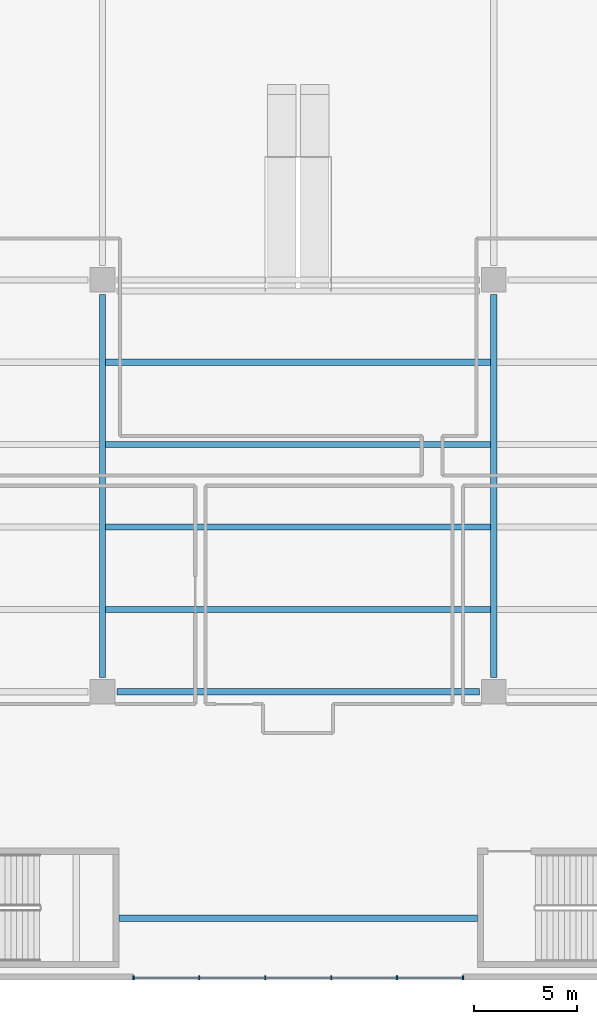
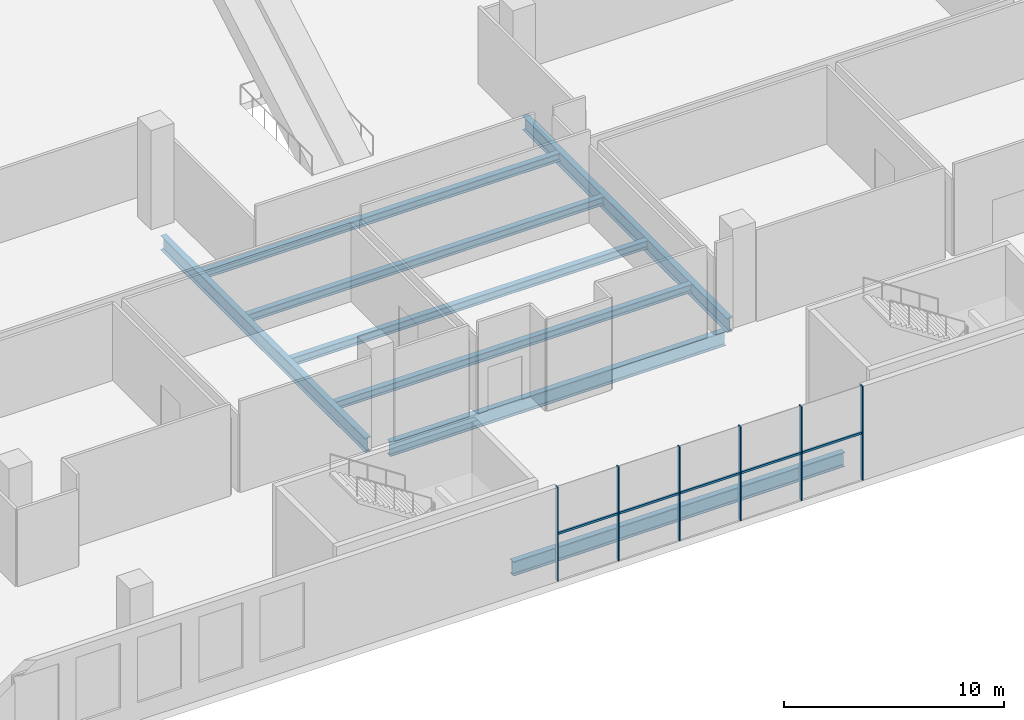
# One storey, part 2 of 26: 8 beams, 7 members, 1 element without a shape of its own.
"""IFC4 building model written with IfcOpenShell, lengths in metres."""

from ifc_helpers import new_model, si_unit, direction, frame, origin, origin_2d, place, context, subcontext, project, spatial, rectangle, i_section, extrude, material, material_profile, profile_set, type_object, element, aggregate, save


model = new_model("IFC4")

# Units and contexts
model_context = context("Model", 3, precision=1e-05, world=origin(), true_north=direction((0.0, 1.0)))
body_context = subcontext(model_context, "Body", "Model", "MODEL_VIEW")
ifc_project = project(units=[si_unit("LENGTHUNIT", "METRE"), si_unit("AREAUNIT", "SQUARE_METRE"), si_unit("VOLUMEUNIT", "CUBIC_METRE"), si_unit("PLANEANGLEUNIT", "RADIAN"), si_unit("MASSUNIT", "GRAM", prefix="KILO")], contexts=[model_context])

# Site, building, storey
site_placement = place(None, origin())
site = spatial("IfcSite", under=ifc_project, at=site_placement, CompositionType="ELEMENT")
building_placement = place(site_placement, origin())
building = spatial("IfcBuilding", under=site, at=building_placement, Name="Tel Ilan Convention Tower", CompositionType="ELEMENT")
storey_placement = place(building_placement, frame((0.0, 0.0, 32.0)))
storey = spatial("IfcBuildingStorey", under=building, at=storey_placement, Name="L04", CompositionType="ELEMENT", Elevation=32.0)

# Curtain wall, members
ifc_material_1 = material(Name="Aluminium, bronze anodised", Category="aluminium")
curtain_wall_type = type_object("IfcCurtainWallType", Name="CW3 FOYER CURTAIN WALL, CLEAR GLASS", PredefinedType="NOTDEFINED", material=ifc_material_1)
curtain_wall_placement = place(storey_placement, origin())
curtain_wall = element("IfcCurtainWall", 1, at=curtain_wall_placement, inside=storey, type_object=curtain_wall_type, Name="Curtain wall CW3-07.F01", PredefinedType="NOTDEFINED")
ifc_material_2 = material(Name="Aluminium, bronze anodised", Category="aluminium")
ifc_material_profile_1 = material_profile(ifc_material_2, rectangle(XDim=0.06005859375, YDim=0.199951171875, at=origin_2d()), Name="CW MULLION 60x200")
ifc_profile_set_1 = profile_set([ifc_material_profile_1], Name="Aluminium, bronze anodised")
member_type_1 = type_object("IfcMemberType", Name="CW MULLION 60x200", PredefinedType="MULLION", material=ifc_profile_set_1)
member_1_placement = place(storey_placement, frame((-8.0, -81.89990234375, 0.0), z_axis=(0.0, 0.0, 1.0), x_axis=(1.0, 0.0, 0.0)))
member_1 = element("IfcMember", 2, at=member_1_placement, type_object=member_type_1, Name="Mullion", PredefinedType="MULLION", context=body_context, shape_type="SweptSolid", body=[
    extrude(rectangle(XDim=0.06005859375, YDim=0.199951171875, at=origin_2d()), origin(), (0.0, 0.0, 1.0), 5.219970703125),
])
member_2_placement = place(storey_placement, frame((-4.800048828125, -81.89990234375, 0.0), z_axis=(0.0, 0.0, 1.0), x_axis=(1.0, 0.0, 0.0)))
member_2 = element("IfcMember", 3, at=member_2_placement, type_object=member_type_1, Name="Mullion", PredefinedType="MULLION", context=body_context, shape_type="SweptSolid", body=[
    extrude(rectangle(XDim=0.06005859375, YDim=0.199951171875, at=origin_2d()), origin(), (0.0, 0.0, 1.0), 5.219970703125),
])
member_3_placement = place(storey_placement, frame((-1.60009765625, -81.89990234375, 0.0), z_axis=(0.0, 0.0, 1.0), x_axis=(1.0, 0.0, 0.0)))
member_3 = element("IfcMember", 4, at=member_3_placement, type_object=member_type_1, Name="Mullion", PredefinedType="MULLION", context=body_context, shape_type="SweptSolid", body=[
    extrude(rectangle(XDim=0.06005859375, YDim=0.199951171875, at=origin_2d()), origin(), (0.0, 0.0, 1.0), 5.219970703125),
])
member_4_placement = place(storey_placement, frame((1.60009765625, -81.89990234375, 0.0), z_axis=(0.0, 0.0, 1.0), x_axis=(1.0, 0.0, 0.0)))
member_4 = element("IfcMember", 5, at=member_4_placement, type_object=member_type_1, Name="Mullion", PredefinedType="MULLION", context=body_context, shape_type="SweptSolid", body=[
    extrude(rectangle(XDim=0.06005859375, YDim=0.199951171875, at=origin_2d()), origin(), (0.0, 0.0, 1.0), 5.219970703125),
])
member_5_placement = place(storey_placement, frame((4.800048828125, -81.89990234375, 0.0), z_axis=(0.0, 0.0, 1.0), x_axis=(1.0, 0.0, 0.0)))
member_5 = element("IfcMember", 6, at=member_5_placement, type_object=member_type_1, Name="Mullion", PredefinedType="MULLION", context=body_context, shape_type="SweptSolid", body=[
    extrude(rectangle(XDim=0.06005859375, YDim=0.199951171875, at=origin_2d()), origin(), (0.0, 0.0, 1.0), 5.219970703125),
])
member_6_placement = place(storey_placement, frame((8.0, -81.89990234375, 0.0), z_axis=(0.0, 0.0, 1.0), x_axis=(1.0, 0.0, 0.0)))
member_6 = element("IfcMember", 7, at=member_6_placement, type_object=member_type_1, Name="Mullion", PredefinedType="MULLION", context=body_context, shape_type="SweptSolid", body=[
    extrude(rectangle(XDim=0.06005859375, YDim=0.199951171875, at=origin_2d()), origin(), (0.0, 0.0, 1.0), 5.219970703125),
])
ifc_material_3 = material(Name="Aluminium, bronze anodised", Category="aluminium")
ifc_material_profile_2 = material_profile(ifc_material_3, rectangle(XDim=0.10009765625, YDim=0.1201171875, at=origin_2d()), Name="CW TRANSOM 100x120")
ifc_profile_set_2 = profile_set([ifc_material_profile_2], Name="Aluminium, bronze anodised")
member_type_2 = type_object("IfcMemberType", Name="CW TRANSOM 100x120", PredefinedType="USERDEFINED", material=ifc_profile_set_2)
member_7_placement = place(storey_placement, frame((-7.969970703125, -81.89990234375, 2.610107421875), z_axis=(1.0, 0.0, 0.0), x_axis=(0.0, 1.0, 0.0)))
member_7 = element("IfcMember", 8, at=member_7_placement, type_object=member_type_2, Name="Transom", ObjectType="TRANSOM", PredefinedType="USERDEFINED", context=body_context, shape_type="SweptSolid", body=[
    extrude(rectangle(XDim=0.10009765625, YDim=0.1201171875, at=origin_2d()), origin(), (0.0, 0.0, 1.0), 15.93994140625),
])
aggregate(curtain_wall, [member_1, member_2, member_3, member_4, member_5, member_6, member_7])

# Beams
ifc_material_4 = material(Name="Steel S355", Category="steel")
ifc_material_profile_3 = material_profile(ifc_material_4, i_section(OverallWidth=0.300048828125, OverallDepth=0.800048828125, WebThickness=0.017578125, FlangeThickness=0.032958984375, FilletRadius=0.030029296875, at=origin_2d()), Name="HEB 800")
ifc_profile_set_3 = profile_set([ifc_material_profile_3], Name="Steel S355")
beam_type_1 = type_object("IfcBeamType", Name="Girder HEB 800 Steel S355", PredefinedType="BEAM", material=ifc_profile_set_3)
beam_1_placement = place(storey_placement, frame((-8.800048828125, -68.0, -0.800048828125), z_axis=(1.0, 0.0, 0.0), x_axis=(0.0, 1.0, 0.0)))
element("IfcBeam", 9, at=beam_1_placement, inside=storey, type_object=beam_type_1, Name="L04 beam GX23-4", PredefinedType="BEAM", context=body_context, shape_type="SweptSolid", body=[
    extrude(i_section(OverallWidth=0.300048828125, OverallDepth=0.800048828125, WebThickness=0.017578125, FlangeThickness=0.032958984375, FilletRadius=0.030029296875, at=origin_2d()), origin(), (0.0, 0.0, 1.0), 17.60009765625),
])
for number, where, z_axis, x_axis, name in (
    (10, (-9.5, -67.300048828125, -0.800048828125), (0.0, 1.0, 0.0), (-1.0, 0.0, 0.0), "L04 beam GY32-3"),
    (11, (9.5, -67.300048828125, -0.800048828125), (0.0, 1.0, 0.0), (-1.0, 0.0, 0.0), "L04 beam GY42-3"),
):
    element("IfcBeam", number, at=place(storey_placement, frame(where, z_axis=z_axis, x_axis=x_axis)), inside=storey, type_object=beam_type_1, Name=name, PredefinedType="BEAM", context=body_context, shape_type="SweptSolid", body=[
        extrude(i_section(OverallWidth=0.300048828125, OverallDepth=0.800048828125, WebThickness=0.017578125, FlangeThickness=0.032958984375, FilletRadius=0.030029296875, at=origin_2d()), origin(), (0.0, 0.0, 1.0), 18.60009765625),
    ])
beam_2_placement = place(storey_placement, frame((-8.699951171875, -79.0, -0.800048828125), z_axis=(1.0, 0.0, 0.0), x_axis=(0.0, 1.0, 0.0)))
element("IfcBeam", 12, at=beam_2_placement, inside=storey, type_object=beam_type_1, Name="L04 beam GS21", PredefinedType="BEAM", context=body_context, shape_type="SweptSolid", body=[
    extrude(i_section(OverallWidth=0.300048828125, OverallDepth=0.800048828125, WebThickness=0.017578125, FlangeThickness=0.032958984375, FilletRadius=0.030029296875, at=origin_2d()), origin(), (0.0, 0.0, 1.0), 17.39990234375),
])
ifc_material_5 = material(Name="Steel S355", Category="steel")
ifc_material_profile_4 = material_profile(ifc_material_5, i_section(OverallWidth=0.300048828125, OverallDepth=0.449951171875, WebThickness=0.013916015625, FlangeThickness=0.02587890625, FilletRadius=0.027099609375, at=origin_2d()), Name="HEB 450")
ifc_profile_set_4 = profile_set([ifc_material_profile_4], Name="Steel S355")
beam_type_2 = type_object("IfcBeamType", Name="Joist HEB 450 Steel S355", PredefinedType="JOIST", material=ifc_profile_set_4)
for number, where, z_axis, x_axis, name in (
    (13, (-9.360107421875, -64.0, -0.625), (1.0, 0.0, 0.0), (0.0, 1.0, 0.0), "L04 beam J3--68-1"),
    (14, (-9.360107421875, -60.0, -0.625), (1.0, 0.0, 0.0), (0.0, 1.0, 0.0), "L04 beam J3--68-2"),
    (15, (-9.360107421875, -56.0, -0.625), (1.0, 0.0, 0.0), (0.0, 1.0, 0.0), "L04 beam J3--68-3"),
    (16, (-9.360107421875, -52.0, -0.625), (1.0, 0.0, 0.0), (0.0, 1.0, 0.0), "L04 beam J3--68-4"),
):
    element("IfcBeam", number, at=place(storey_placement, frame(where, z_axis=z_axis, x_axis=x_axis)), inside=storey, type_object=beam_type_2, Name=name, PredefinedType="JOIST", context=body_context, shape_type="SweptSolid", body=[
        extrude(i_section(OverallWidth=0.300048828125, OverallDepth=0.449951171875, WebThickness=0.013916015625, FlangeThickness=0.02587890625, FilletRadius=0.027099609375, at=origin_2d()), origin(), (0.0, 0.0, 1.0), 18.72021484375),
    ])

save(model, "model.ifc")
